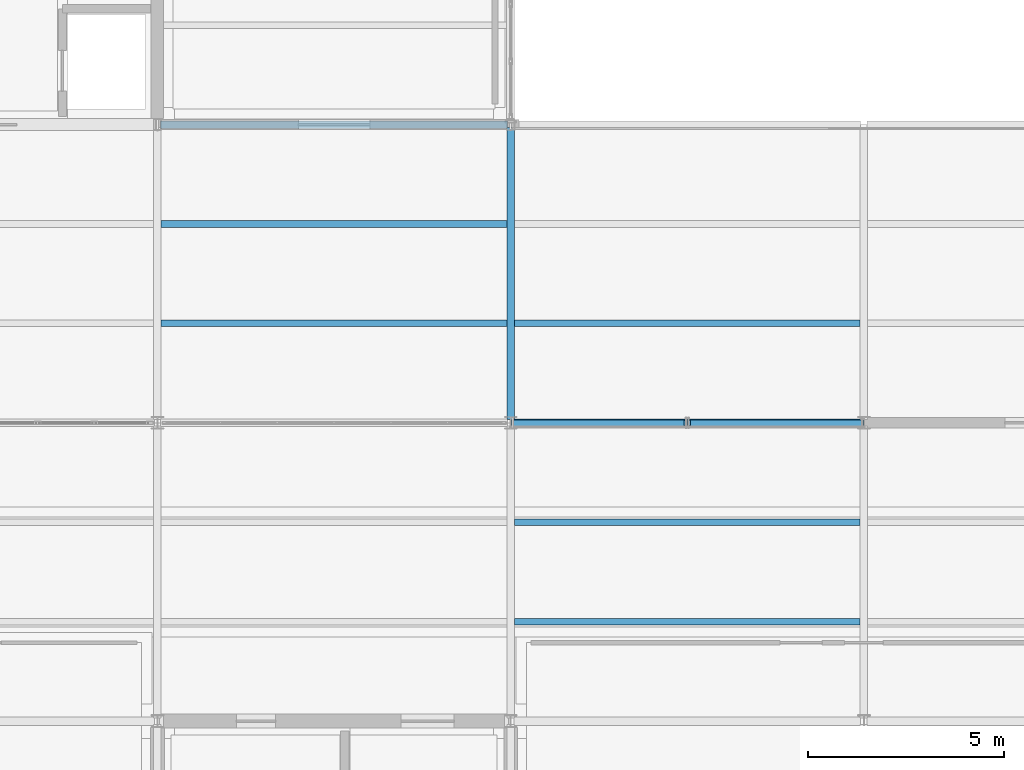
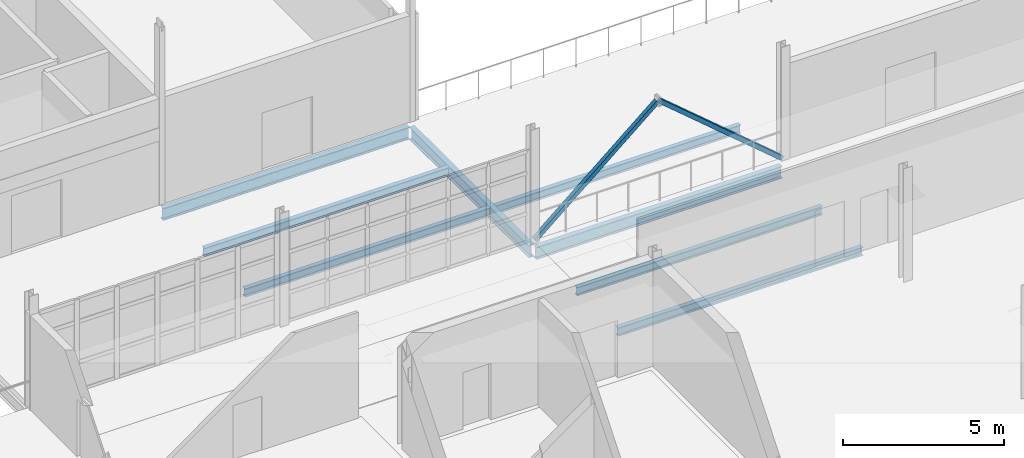
# One storey, part 59 of 166: 8 beams, 2 members.
"""IFC4 building model written with IfcOpenShell, lengths in metres."""

from ifc_helpers import new_model, si_unit, direction, frame, origin, origin_2d, place, context, subcontext, project, spatial, hollow_rectangle, i_section, extrude, material, material_profile, profile_set, type_object, element, save


model = new_model("IFC4")

# Units and contexts
model_context = context("Model", 3, precision=1e-05, world=origin(), true_north=direction((0.0, 1.0)))
body_context = subcontext(model_context, "Body", "Model", "MODEL_VIEW")
ifc_project = project(units=[si_unit("LENGTHUNIT", "METRE"), si_unit("AREAUNIT", "SQUARE_METRE"), si_unit("VOLUMEUNIT", "CUBIC_METRE"), si_unit("PLANEANGLEUNIT", "RADIAN"), si_unit("MASSUNIT", "GRAM", prefix="KILO")], contexts=[model_context])

# Site, building, storey
site_placement = place(None, origin())
site = spatial("IfcSite", under=ifc_project, at=site_placement, CompositionType="ELEMENT")
building_placement = place(site_placement, origin())
building = spatial("IfcBuilding", under=site, at=building_placement, Name="Caisbarro Railhouse Central Library", CompositionType="ELEMENT")
storey_placement = place(building_placement, frame((0.0, 0.0, 9.360107421875)))
storey = spatial("IfcBuildingStorey", under=building, at=storey_placement, Name="L02", CompositionType="ELEMENT", Elevation=9.360107421875)

# Beams
ifc_material = material(Name="Steel ASTM A572 Grade 50", Category="steel")
ifc_material_profile_1 = material_profile(ifc_material, i_section(OverallWidth=0.194091796875, OverallDepth=0.468994140625, WebThickness=0.0126953125, FlangeThickness=0.0205078125, FilletRadius=0.01806640625, at=origin_2d()), Name="W460X106.0")
ifc_profile_set_1 = profile_set([ifc_material_profile_1], Name="Steel ASTM A572 Grade 50")
beam_type_1 = type_object("IfcBeamType", Name="BM-G07", PredefinedType="BEAM", material=ifc_profile_set_1)
beam_placement = place(storey_placement, frame((72.0, 22.8798828125, -0.444580078125), z_axis=(0.0, 1.0, 0.0), x_axis=(-1.0, 0.0, 0.0)))
element("IfcBeam", 1, at=beam_placement, inside=storey, type_object=beam_type_1, Name="G07 beam L02 #1614", PredefinedType="BEAM", context=body_context, shape_type="SweptSolid", body=[
    extrude(i_section(OverallWidth=0.194091796875, OverallDepth=0.468994140625, WebThickness=0.0126953125, FlangeThickness=0.0205078125, FilletRadius=0.01806640625, at=origin_2d()), origin(), (0.0, 0.0, 1.0), 7.440185546875),
])
ifc_material_profile_2 = material_profile(ifc_material, i_section(OverallWidth=0.1669921875, OverallDepth=0.31689453125, WebThickness=0.007568359375, FlangeThickness=0.01318359375, FilletRadius=0.011962890625, at=origin_2d()), Name="W310X52.0")
ifc_profile_set_2 = profile_set([ifc_material_profile_2], Name="Steel ASTM A572 Grade 50")
beam_type_2 = type_object("IfcBeamType", Name="BM-J02", PredefinedType="JOIST", material=ifc_profile_set_2)
for number, where, z_axis, x_axis, name in (
    (2, (72.096923828125, 17.7333984375, -0.398681640625), (1.0, 0.0, 0.0), (0.0, 1.0, 0.0), "J02 beam L02 #1335"),
    (3, (72.096923828125, 20.2666015625, -0.398681640625), (1.0, 0.0, 0.0), (0.0, 1.0, 0.0), "J02 beam L02 #1336"),
    (4, (63.096923828125, 25.333251953125, -0.36865234375), (1.0, 0.0, 0.0), (0.0, 1.0, 0.0), "J02 beam L02 #1620"),
    (5, (63.096923828125, 27.86669921875, -0.36865234375), (1.0, 0.0, 0.0), (0.0, 1.0, 0.0), "J02 beam L02 #1621"),
    (6, (72.096923828125, 25.333251953125, -0.36865234375), (1.0, 0.0, 0.0), (0.0, 1.0, 0.0), "J02 beam L02 #1622"),
):
    element("IfcBeam", number, at=place(storey_placement, frame(where, z_axis=z_axis, x_axis=x_axis)), inside=storey, type_object=beam_type_2, Name=name, PredefinedType="JOIST", context=body_context, shape_type="SweptSolid", body=[
        extrude(i_section(OverallWidth=0.1669921875, OverallDepth=0.31689453125, WebThickness=0.007568359375, FlangeThickness=0.01318359375, FilletRadius=0.011962890625, at=origin_2d()), origin(), (0.0, 0.0, 1.0), 8.80615234375),
    ])
ifc_material_profile_3 = material_profile(ifc_material, i_section(OverallWidth=0.18994140625, OverallDepth=0.45703125, WebThickness=0.009033203125, FlangeThickness=0.014404296875, FilletRadius=0.01806640625, at=origin_2d()), Name="W460X74.0")
ifc_profile_set_3 = profile_set([ifc_material_profile_3], Name="Steel ASTM A572 Grade 50")
beam_type_3 = type_object("IfcBeamType", Name="BM-SP01", PredefinedType="SPANDREL", material=ifc_profile_set_3)
for number, where, z_axis, x_axis, name in (
    (7, (72.080078125, 22.800048828125, -0.468505859375), (1.0, 0.0, 0.0), (0.0, 1.0, 0.0), "SP01 beam L02 #1298"),
    (8, (63.080078125, 30.39990234375, -0.448486328125), (1.0, 0.0, 0.0), (0.0, 1.0, 0.0), "SP01 beam L02 #1358"),
):
    element("IfcBeam", number, at=place(storey_placement, frame(where, z_axis=z_axis, x_axis=x_axis)), inside=storey, type_object=beam_type_3, Name=name, PredefinedType="SPANDREL", context=body_context, shape_type="SweptSolid", body=[
        extrude(i_section(OverallWidth=0.18994140625, OverallDepth=0.45703125, WebThickness=0.009033203125, FlangeThickness=0.014404296875, FilletRadius=0.01806640625, at=origin_2d()), origin(), (0.0, 0.0, 1.0), 8.83984375),
    ])

# Members
ifc_material_profile_4 = material_profile(ifc_material, hollow_rectangle(XDim=0.14990234375, YDim=0.14990234375, WallThickness=0.010009765625, at=origin_2d()), Name="HSS150X150X10")
ifc_profile_set_4 = profile_set([ifc_material_profile_4], Name="Steel ASTM A572 Grade 50")
member_type = type_object("IfcMemberType", Name="MEM-BR02", PredefinedType="BRACE", material=ifc_profile_set_4)
for number, where, z_axis, x_axis, name in (
    (9, (72.06005859375, 22.800048828125, 0.019775390625), (0.763624099978, 0.0, 0.645661082869), (0.0, 1.0, 0.0), "BR02 chevron brace Y22-M L02.1"),
    (10, (80.93994140625, 22.800048828125, 0.019775390625), (-0.763624099978, 0.0, 0.645661082869), (0.0, -1.0, 0.0), "BR02 chevron brace Y22-M L02.2"),
):
    element("IfcMember", number, at=place(storey_placement, frame(where, z_axis=z_axis, x_axis=x_axis)), inside=storey, type_object=member_type, Name=name, PredefinedType="BRACE", context=body_context, shape_type="SweptSolid", body=[
        extrude(hollow_rectangle(XDim=0.14990234375, YDim=0.14990234375, WallThickness=0.010009765625, at=origin_2d()), origin(), (0.0, 0.0, 1.0), 5.761962890625),
    ])

save(model, "model.ifc")
